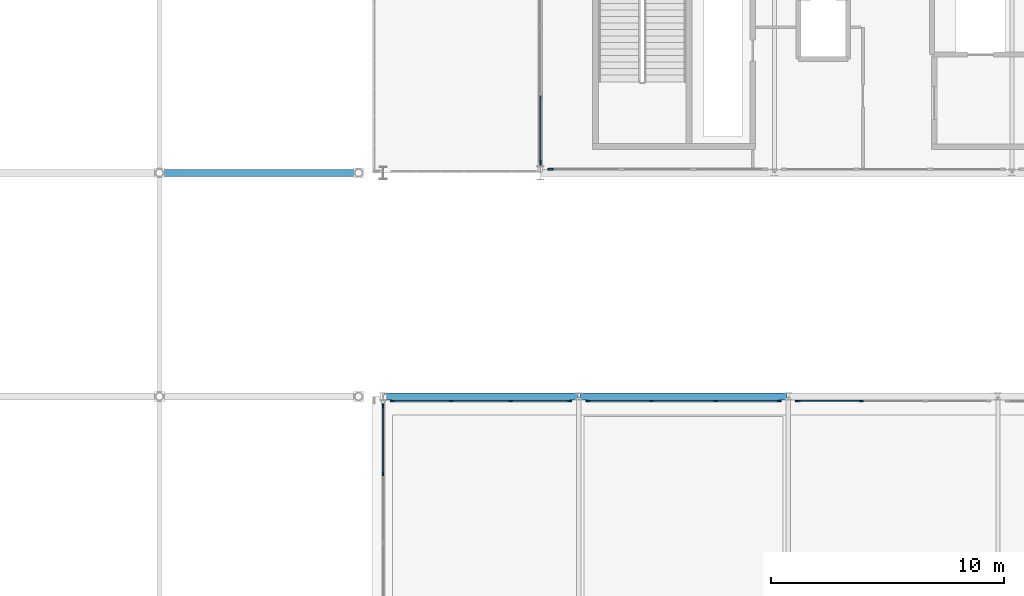
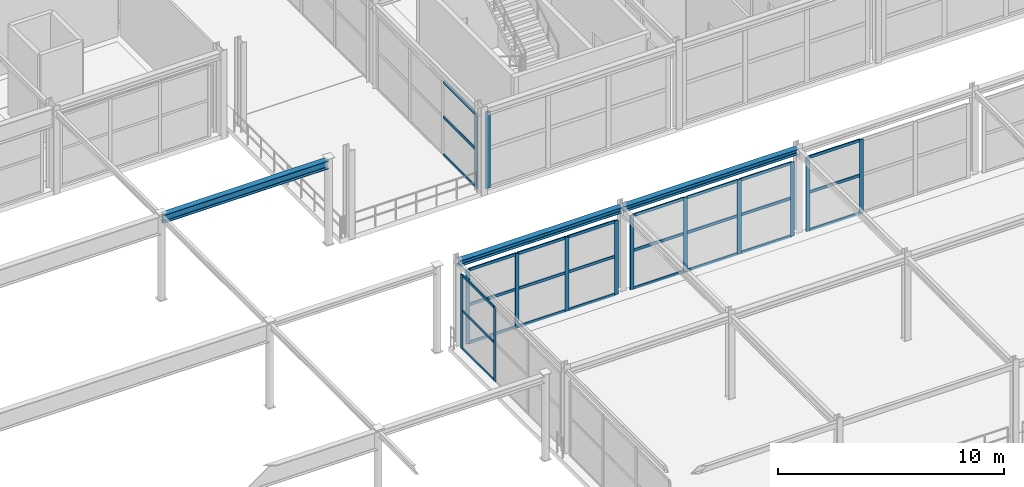
# One storey, part 32 of 125: 41 members, 3 beams, 6 elements without a shape of their own.
"""IFC4 building model written with IfcOpenShell, lengths in metres."""

from ifc_helpers import new_model, si_unit, direction, frame, origin, origin_2d, place, context, subcontext, project, spatial, rectangle, i_section, extrude, material, layer, layer_set, material_profile, profile_set, type_object, element, aggregate, save


model = new_model("IFC4")

# Units and contexts
model_context = context("Model", 3, precision=1e-05, world=origin(), true_north=direction((0.0, 1.0)))
body_context = subcontext(model_context, "Body", "Model", "MODEL_VIEW")
ifc_project = project(units=[si_unit("LENGTHUNIT", "METRE"), si_unit("AREAUNIT", "SQUARE_METRE"), si_unit("VOLUMEUNIT", "CUBIC_METRE"), si_unit("PLANEANGLEUNIT", "RADIAN"), si_unit("MASSUNIT", "GRAM", prefix="KILO")], contexts=[model_context])

# Site, building, storey
site_placement = place(None, origin())
site = spatial("IfcSite", under=ifc_project, at=site_placement, CompositionType="ELEMENT")
building_placement = place(site_placement, origin())
building = spatial("IfcBuilding", under=site, at=building_placement, Name="Myrtia Square Station", CompositionType="ELEMENT")
storey_placement = place(building_placement, frame((0.0, 0.0, 6.0)))
storey = spatial("IfcBuildingStorey", under=building, at=storey_placement, Name="L01", CompositionType="ELEMENT", Elevation=6.0)

# Beams
ifc_material_1 = material(Name="Steel S355", Category="steel")
ifc_material_profile_1 = material_profile(ifc_material_1, i_section(OverallWidth=0.300048828125, OverallDepth=0.43994140625, WebThickness=0.011474609375, FlangeThickness=0.02099609375, FilletRadius=0.027099609375, at=origin_2d()), Name="HEA 450")
ifc_profile_set_1 = profile_set([ifc_material_profile_1], Name="Steel S355")
beam_type_1 = type_object("IfcBeamType", Name="BM-HEA450", PredefinedType="BEAM", material=ifc_profile_set_1)
beam_1_placement = place(storey_placement, frame((63.050048828125, 28.800048828125, 4.3349609375), z_axis=(1.0, 0.0, 0.0), x_axis=(0.0, 1.0, 0.0)))
element("IfcBeam", 1, at=beam_1_placement, inside=storey, type_object=beam_type_1, Name="Structural girder BMX-L01-0465", PredefinedType="BEAM", context=body_context, shape_type="SweptSolid", body=[
    extrude(i_section(OverallWidth=0.300048828125, OverallDepth=0.43994140625, WebThickness=0.011474609375, FlangeThickness=0.02099609375, FilletRadius=0.027099609375, at=origin_2d()), origin(), (0.0, 0.0, 1.0), 8.449951171875),
])
ifc_material_profile_2 = material_profile(ifc_material_1, i_section(OverallWidth=0.300048828125, OverallDepth=0.300048828125, WebThickness=0.010986328125, FlangeThickness=0.01904296875, FilletRadius=0.027099609375, at=origin_2d()), Name="HEB 300")
ifc_profile_set_2 = profile_set([ifc_material_profile_2], Name="Steel S355")
beam_type_2 = type_object("IfcBeamType", Name="BM-HEB300", PredefinedType="BEAM", material=ifc_profile_set_2)
beam_2_placement = place(storey_placement, frame((72.64990234375, 19.199951171875, 4.385009765625), z_axis=(1.0, 0.0, 0.0), x_axis=(0.0, 1.0, 0.0)))
element("IfcBeam", 2, at=beam_2_placement, inside=storey, type_object=beam_type_2, Name="Structural girder BMX-L01-0586", PredefinedType="BEAM", context=body_context, shape_type="SweptSolid", body=[
    extrude(i_section(OverallWidth=0.300048828125, OverallDepth=0.300048828125, WebThickness=0.010986328125, FlangeThickness=0.01904296875, FilletRadius=0.027099609375, at=origin_2d()), origin(), (0.0, 0.0, 1.0), 8.300048828125),
])
beam_3_placement = place(storey_placement, frame((81.050048828125, 19.199951171875, 4.385009765625), z_axis=(1.0, 0.0, 0.0), x_axis=(0.0, 1.0, 0.0)))
element("IfcBeam", 3, at=beam_3_placement, inside=storey, type_object=beam_type_2, Name="Structural girder BMX-L01-0587", PredefinedType="BEAM", context=body_context, shape_type="SweptSolid", body=[
    extrude(i_section(OverallWidth=0.300048828125, OverallDepth=0.300048828125, WebThickness=0.010986328125, FlangeThickness=0.01904296875, FilletRadius=0.027099609375, at=origin_2d()), origin(), (0.0, 0.0, 1.0), 8.89990234375),
])

# Curtain wall, members
ifc_material_2 = material(Name="Dark bronze anodised aluminium", Category="aluminium")
ifc_layer_1 = layer(ifc_material_2, 0.159912109375, Name="Dark bronze anodised aluminium")
ifc_layer_set_1 = layer_set([ifc_layer_1], Name="Dark bronze anodised aluminium")
curtain_wall_type_1 = type_object("IfcCurtainWallType", Name="CW-TYPE-36-886x400", PredefinedType="USERDEFINED", material=ifc_layer_set_1)
curtain_wall_1_placement = place(storey_placement, origin())
curtain_wall_1 = element("IfcCurtainWall", 4, at=curtain_wall_1_placement, inside=storey, type_object=curtain_wall_type_1, Name="Concourse curtain wall CW-L01-115", ObjectType="CONCOURSE CURTAIN WALL", PredefinedType="USERDEFINED")
ifc_material_profile_3 = material_profile(ifc_material_2, rectangle(XDim=0.06005859375, YDim=0.159912109375, at=origin_2d()), Name="ALU-M 60x160")
ifc_profile_set_3 = profile_set([ifc_material_profile_3], Name="Dark bronze anodised aluminium")
member_type_1 = type_object("IfcMemberType", Name="CWM-60x160", PredefinedType="MULLION", material=ifc_profile_set_3)
member_1_placement = place(storey_placement, frame((72.60009765625, 15.876708984375, 0.0), z_axis=(0.0, 0.0, 1.0), x_axis=(-1.0, 0.0, 0.0)))
member_1 = element("IfcMember", 5, at=member_1_placement, type_object=member_type_1, Name="CW-115 mullion 3", PredefinedType="MULLION", context=body_context, shape_type="SweptSolid", body=[
    extrude(rectangle(XDim=0.06005859375, YDim=0.159912109375, at=origin_2d()), origin(), (0.0, 0.0, 1.0), 4.0),
])
member_2_placement = place(storey_placement, frame((72.60009765625, 18.800048828125, 0.0), z_axis=(0.0, 0.0, 1.0), x_axis=(-1.0, 0.0, 0.0)))
member_2 = element("IfcMember", 6, at=member_2_placement, type_object=member_type_1, Name="CW-115 mullion 4", PredefinedType="MULLION", context=body_context, shape_type="SweptSolid", body=[
    extrude(rectangle(XDim=0.06005859375, YDim=0.159912109375, at=origin_2d()), origin(), (0.0, 0.0, 1.0), 4.0),
])

# Curtain wall, member
ifc_layer_2 = layer(ifc_material_2, 0.159912109375, Name="Dark bronze anodised aluminium")
ifc_layer_set_2 = layer_set([ifc_layer_2], Name="Dark bronze anodised aluminium")
curtain_wall_type_2 = type_object("IfcCurtainWallType", Name="CW-TYPE-03-880x400", PredefinedType="USERDEFINED", material=ifc_layer_set_2)
curtain_wall_2_placement = place(storey_placement, origin())
curtain_wall_2 = element("IfcCurtainWall", 7, at=curtain_wall_2_placement, inside=storey, type_object=curtain_wall_type_2, Name="Concourse curtain wall CW-L01-005", ObjectType="CONCOURSE CURTAIN WALL", PredefinedType="USERDEFINED")
ifc_material_profile_4 = material_profile(ifc_material_2, rectangle(XDim=0.06494140625, YDim=0.199951171875, at=origin_2d()), Name="ALU-M 65x200")
ifc_profile_set_4 = profile_set([ifc_material_profile_4], Name="Dark bronze anodised aluminium")
member_type_2 = type_object("IfcMemberType", Name="CWM-65x200", PredefinedType="MULLION", material=ifc_profile_set_4)
member_3_placement = place(storey_placement, frame((79.35009765625, 29.232421875, 0.0), z_axis=(0.0, 0.0, 1.0), x_axis=(-1.0, 0.0, 0.0)))
member_3 = element("IfcMember", 8, at=member_3_placement, type_object=member_type_2, Name="CW-005 mullion 1", PredefinedType="MULLION", context=body_context, shape_type="SweptSolid", body=[
    extrude(rectangle(XDim=0.06494140625, YDim=0.199951171875, at=origin_2d()), origin(), (0.0, 0.0, 1.0), 4.0),
])

# Curtain wall, members
ifc_layer_3 = layer(ifc_material_2, 0.159912109375, Name="Dark bronze anodised aluminium")
ifc_layer_set_3 = layer_set([ifc_layer_3], Name="Dark bronze anodised aluminium")
curtain_wall_type_3 = type_object("IfcCurtainWallType", Name="CW-TYPE-29-766x400", PredefinedType="USERDEFINED", material=ifc_layer_set_3)
curtain_wall_3_placement = place(storey_placement, origin())
curtain_wall_3 = element("IfcCurtainWall", 9, at=curtain_wall_3_placement, inside=storey, type_object=curtain_wall_type_3, Name="Concourse curtain wall CW-L01-102", ObjectType="CONCOURSE CURTAIN WALL", PredefinedType="USERDEFINED")
member_4_placement = place(storey_placement, frame((73.00244140625, 19.0, 0.0), z_axis=(0.0, 0.0, 1.0), x_axis=(0.0, 1.0, 0.0)))
member_4 = element("IfcMember", 10, at=member_4_placement, type_object=member_type_2, Name="CW-102 mullion 1", PredefinedType="MULLION", context=body_context, shape_type="SweptSolid", body=[
    extrude(rectangle(XDim=0.06494140625, YDim=0.199951171875, at=origin_2d()), origin(), (0.0, 0.0, 1.0), 4.0),
])
member_5_placement = place(storey_placement, frame((75.5234375, 19.0, 0.0), z_axis=(0.0, 0.0, 1.0), x_axis=(0.0, 1.0, 0.0)))
member_5 = element("IfcMember", 11, at=member_5_placement, type_object=member_type_2, Name="CW-102 mullion 2", PredefinedType="MULLION", context=body_context, shape_type="SweptSolid", body=[
    extrude(rectangle(XDim=0.06494140625, YDim=0.199951171875, at=origin_2d()), origin(), (0.0, 0.0, 1.0), 4.0),
])
member_6_placement = place(storey_placement, frame((78.07666015625, 19.0, 0.0), z_axis=(0.0, 0.0, 1.0), x_axis=(0.0, 1.0, 0.0)))
member_6 = element("IfcMember", 12, at=member_6_placement, type_object=member_type_2, Name="CW-102 mullion 3", PredefinedType="MULLION", context=body_context, shape_type="SweptSolid", body=[
    extrude(rectangle(XDim=0.06494140625, YDim=0.199951171875, at=origin_2d()), origin(), (0.0, 0.0, 1.0), 4.0),
])
member_7_placement = place(storey_placement, frame((80.597412109375, 19.0, 0.0), z_axis=(0.0, 0.0, 1.0), x_axis=(0.0, 1.0, 0.0)))
member_7 = element("IfcMember", 13, at=member_7_placement, type_object=member_type_2, Name="CW-102 mullion 4", PredefinedType="MULLION", context=body_context, shape_type="SweptSolid", body=[
    extrude(rectangle(XDim=0.06494140625, YDim=0.199951171875, at=origin_2d()), origin(), (0.0, 0.0, 1.0), 4.0),
])

ifc_layer_4 = layer(ifc_material_2, 0.159912109375, Name="Dark bronze anodised aluminium")
ifc_layer_set_4 = layer_set([ifc_layer_4], Name="Dark bronze anodised aluminium")
curtain_wall_type_4 = type_object("IfcCurtainWallType", Name="CW-TYPE-32-826x400", PredefinedType="USERDEFINED", material=ifc_layer_set_4)
curtain_wall_4_placement = place(storey_placement, origin())
curtain_wall_4 = element("IfcCurtainWall", 14, at=curtain_wall_4_placement, inside=storey, type_object=curtain_wall_type_4, Name="Concourse curtain wall CW-L01-105", ObjectType="CONCOURSE CURTAIN WALL", PredefinedType="USERDEFINED")
member_8_placement = place(storey_placement, frame((81.402587890625, 19.0, 0.0), z_axis=(0.0, 0.0, 1.0), x_axis=(0.0, 1.0, 0.0)))
member_8 = element("IfcMember", 15, at=member_8_placement, type_object=member_type_2, Name="CW-105 mullion 1", PredefinedType="MULLION", context=body_context, shape_type="SweptSolid", body=[
    extrude(rectangle(XDim=0.06494140625, YDim=0.199951171875, at=origin_2d()), origin(), (0.0, 0.0, 1.0), 4.0),
])
member_9_placement = place(storey_placement, frame((84.123291015625, 19.0, 0.0), z_axis=(0.0, 0.0, 1.0), x_axis=(0.0, 1.0, 0.0)))
member_9 = element("IfcMember", 16, at=member_9_placement, type_object=member_type_2, Name="CW-105 mullion 2", PredefinedType="MULLION", context=body_context, shape_type="SweptSolid", body=[
    extrude(rectangle(XDim=0.06494140625, YDim=0.199951171875, at=origin_2d()), origin(), (0.0, 0.0, 1.0), 4.0),
])
member_10_placement = place(storey_placement, frame((86.876708984375, 19.0, 0.0), z_axis=(0.0, 0.0, 1.0), x_axis=(0.0, 1.0, 0.0)))
member_10 = element("IfcMember", 17, at=member_10_placement, type_object=member_type_2, Name="CW-105 mullion 3", PredefinedType="MULLION", context=body_context, shape_type="SweptSolid", body=[
    extrude(rectangle(XDim=0.06494140625, YDim=0.199951171875, at=origin_2d()), origin(), (0.0, 0.0, 1.0), 4.0),
])
member_11_placement = place(storey_placement, frame((89.597412109375, 19.0, 0.0), z_axis=(0.0, 0.0, 1.0), x_axis=(0.0, 1.0, 0.0)))
member_11 = element("IfcMember", 18, at=member_11_placement, type_object=member_type_2, Name="CW-105 mullion 4", PredefinedType="MULLION", context=body_context, shape_type="SweptSolid", body=[
    extrude(rectangle(XDim=0.06494140625, YDim=0.199951171875, at=origin_2d()), origin(), (0.0, 0.0, 1.0), 4.0),
])

curtain_wall_5_placement = place(storey_placement, origin())
curtain_wall_5 = element("IfcCurtainWall", 19, at=curtain_wall_5_placement, inside=storey, type_object=curtain_wall_type_4, Name="Concourse curtain wall CW-L01-107", ObjectType="CONCOURSE CURTAIN WALL", PredefinedType="USERDEFINED")
member_12_placement = place(storey_placement, frame((90.402587890625, 19.0, 0.0), z_axis=(0.0, 0.0, 1.0), x_axis=(0.0, 1.0, 0.0)))
member_12 = element("IfcMember", 20, at=member_12_placement, type_object=member_type_2, Name="CW-107 mullion 1", PredefinedType="MULLION", context=body_context, shape_type="SweptSolid", body=[
    extrude(rectangle(XDim=0.06494140625, YDim=0.199951171875, at=origin_2d()), origin(), (0.0, 0.0, 1.0), 4.0),
])
member_13_placement = place(storey_placement, frame((93.123291015625, 19.0, 0.0), z_axis=(0.0, 0.0, 1.0), x_axis=(0.0, 1.0, 0.0)))
member_13 = element("IfcMember", 21, at=member_13_placement, type_object=member_type_2, Name="CW-107 mullion 2", PredefinedType="MULLION", context=body_context, shape_type="SweptSolid", body=[
    extrude(rectangle(XDim=0.06494140625, YDim=0.199951171875, at=origin_2d()), origin(), (0.0, 0.0, 1.0), 4.0),
])

# Curtain wall, member
ifc_layer_5 = layer(ifc_material_2, 0.159912109375, Name="Dark bronze anodised aluminium")
ifc_layer_set_5 = layer_set([ifc_layer_5], Name="Dark bronze anodised aluminium")
curtain_wall_type_5 = type_object("IfcCurtainWallType", Name="CW-TYPE-09-928x415", PredefinedType="USERDEFINED", material=ifc_layer_set_5)
curtain_wall_6_placement = place(storey_placement, origin())
curtain_wall_6 = element("IfcCurtainWall", 22, at=curtain_wall_6_placement, inside=storey, type_object=curtain_wall_type_5, Name="Concourse curtain wall CW-L01-041", ObjectType="CONCOURSE CURTAIN WALL", PredefinedType="USERDEFINED")
ifc_material_profile_5 = material_profile(ifc_material_2, rectangle(XDim=0.074951171875, YDim=0.239990234375, at=origin_2d()), Name="ALU-M 75x240")
ifc_profile_set_5 = profile_set([ifc_material_profile_5], Name="Dark bronze anodised aluminium")
member_type_3 = type_object("IfcMemberType", Name="CWM-75x240", PredefinedType="MULLION", material=ifc_profile_set_5)
member_14_placement = place(storey_placement, frame((79.78759765625, 28.949951171875, 0.0), z_axis=(0.0, 0.0, 1.0), x_axis=(0.0, 1.0, 0.0)))
member_14 = element("IfcMember", 23, at=member_14_placement, type_object=member_type_3, Name="CW-041 mullion 1", PredefinedType="MULLION", context=body_context, shape_type="SweptSolid", body=[
    extrude(rectangle(XDim=0.074951171875, YDim=0.239990234375, at=origin_2d()), origin(), (0.0, 0.0, 1.0), 4.14990234375),
])
aggregate(curtain_wall_6, [member_14])

# Member
ifc_material_profile_6 = material_profile(ifc_material_2, rectangle(XDim=0.06005859375, YDim=0.1201171875, at=origin_2d()), Name="ALU-T 60x120")
ifc_profile_set_6 = profile_set([ifc_material_profile_6], Name="Dark bronze anodised aluminium")
member_type_4 = type_object("IfcMemberType", Name="CWT-60x120", PredefinedType="USERDEFINED", material=ifc_profile_set_6)
member_15_placement = place(storey_placement, frame((72.60009765625, 15.90673828125, 0.030029296875), z_axis=(0.0, 1.0, 0.0), x_axis=(-1.0, 0.0, 0.0)))
member_15 = element("IfcMember", 24, at=member_15_placement, type_object=member_type_4, Name="CW-115 transom 3.1", ObjectType="TRANSOM", PredefinedType="USERDEFINED", context=body_context, shape_type="SweptSolid", body=[
    extrude(rectangle(XDim=0.06005859375, YDim=0.1201171875, at=origin_2d()), origin(), (0.0, 0.0, 1.0), 2.86328125),
])

member_16_placement = place(storey_placement, frame((72.60009765625, 15.90673828125, 2.080078125), z_axis=(0.0, 1.0, 0.0), x_axis=(-1.0, 0.0, 0.0)))
member_16 = element("IfcMember", 25, at=member_16_placement, type_object=member_type_4, Name="CW-115 transom 3.2", ObjectType="TRANSOM", PredefinedType="USERDEFINED", context=body_context, shape_type="SweptSolid", body=[
    extrude(rectangle(XDim=0.06005859375, YDim=0.1201171875, at=origin_2d()), origin(), (0.0, 0.0, 1.0), 2.86328125),
])

member_17_placement = place(storey_placement, frame((72.60009765625, 15.90673828125, 3.969970703125), z_axis=(0.0, 1.0, 0.0), x_axis=(-1.0, 0.0, 0.0)))
member_17 = element("IfcMember", 26, at=member_17_placement, type_object=member_type_4, Name="CW-115 transom 3.3", ObjectType="TRANSOM", PredefinedType="USERDEFINED", context=body_context, shape_type="SweptSolid", body=[
    extrude(rectangle(XDim=0.06005859375, YDim=0.1201171875, at=origin_2d()), origin(), (0.0, 0.0, 1.0), 2.86328125),
])

aggregate(curtain_wall_1, [member_1, member_2, member_15, member_16, member_17])

ifc_material_profile_7 = material_profile(ifc_material_2, rectangle(XDim=0.06494140625, YDim=0.14990234375, at=origin_2d()), Name="ALU-T 65x150")
ifc_profile_set_7 = profile_set([ifc_material_profile_7], Name="Dark bronze anodised aluminium")
member_type_5 = type_object("IfcMemberType", Name="CWT-65x150", PredefinedType="USERDEFINED", material=ifc_profile_set_7)
member_18_placement = place(storey_placement, frame((79.35009765625, 29.264892578125, 0.032470703125), z_axis=(0.0, 1.0, 0.0), x_axis=(-1.0, 0.0, 0.0)))
member_18 = element("IfcMember", 27, at=member_18_placement, type_object=member_type_5, Name="CW-005 transom 1.1", ObjectType="TRANSOM", PredefinedType="USERDEFINED", context=body_context, shape_type="SweptSolid", body=[
    extrude(rectangle(XDim=0.06494140625, YDim=0.14990234375, at=origin_2d()), origin(), (0.0, 0.0, 1.0), 2.8359375),
])

member_19_placement = place(storey_placement, frame((79.35009765625, 29.264892578125, 2.080078125), z_axis=(0.0, 1.0, 0.0), x_axis=(-1.0, 0.0, 0.0)))
member_19 = element("IfcMember", 28, at=member_19_placement, type_object=member_type_5, Name="CW-005 transom 1.2", ObjectType="TRANSOM", PredefinedType="USERDEFINED", context=body_context, shape_type="SweptSolid", body=[
    extrude(rectangle(XDim=0.06494140625, YDim=0.14990234375, at=origin_2d()), origin(), (0.0, 0.0, 1.0), 2.8359375),
])

member_20_placement = place(storey_placement, frame((79.35009765625, 29.264892578125, 3.967529296875), z_axis=(0.0, 1.0, 0.0), x_axis=(-1.0, 0.0, 0.0)))
member_20 = element("IfcMember", 29, at=member_20_placement, type_object=member_type_5, Name="CW-005 transom 1.3", ObjectType="TRANSOM", PredefinedType="USERDEFINED", context=body_context, shape_type="SweptSolid", body=[
    extrude(rectangle(XDim=0.06494140625, YDim=0.14990234375, at=origin_2d()), origin(), (0.0, 0.0, 1.0), 2.8359375),
])

aggregate(curtain_wall_2, [member_3, member_18, member_19, member_20])

member_21_placement = place(storey_placement, frame((73.034912109375, 19.0, 0.032470703125), z_axis=(1.0, 0.0, 0.0), x_axis=(0.0, 1.0, 0.0)))
member_21 = element("IfcMember", 30, at=member_21_placement, type_object=member_type_5, Name="CW-102 transom 1.1", ObjectType="TRANSOM", PredefinedType="USERDEFINED", context=body_context, shape_type="SweptSolid", body=[
    extrude(rectangle(XDim=0.06494140625, YDim=0.14990234375, at=origin_2d()), origin(), (0.0, 0.0, 1.0), 2.455810546875),
])

member_22_placement = place(storey_placement, frame((73.034912109375, 19.0, 2.080078125), z_axis=(1.0, 0.0, 0.0), x_axis=(0.0, 1.0, 0.0)))
member_22 = element("IfcMember", 31, at=member_22_placement, type_object=member_type_5, Name="CW-102 transom 1.2", ObjectType="TRANSOM", PredefinedType="USERDEFINED", context=body_context, shape_type="SweptSolid", body=[
    extrude(rectangle(XDim=0.06494140625, YDim=0.14990234375, at=origin_2d()), origin(), (0.0, 0.0, 1.0), 2.455810546875),
])

member_23_placement = place(storey_placement, frame((73.034912109375, 19.0, 3.967529296875), z_axis=(1.0, 0.0, 0.0), x_axis=(0.0, 1.0, 0.0)))
member_23 = element("IfcMember", 32, at=member_23_placement, type_object=member_type_5, Name="CW-102 transom 1.3", ObjectType="TRANSOM", PredefinedType="USERDEFINED", context=body_context, shape_type="SweptSolid", body=[
    extrude(rectangle(XDim=0.06494140625, YDim=0.14990234375, at=origin_2d()), origin(), (0.0, 0.0, 1.0), 2.455810546875),
])

member_24_placement = place(storey_placement, frame((75.555908203125, 19.0, 0.032470703125), z_axis=(1.0, 0.0, 0.0), x_axis=(0.0, 1.0, 0.0)))
member_24 = element("IfcMember", 33, at=member_24_placement, type_object=member_type_5, Name="CW-102 transom 2.1", ObjectType="TRANSOM", PredefinedType="USERDEFINED", context=body_context, shape_type="SweptSolid", body=[
    extrude(rectangle(XDim=0.06494140625, YDim=0.14990234375, at=origin_2d()), origin(), (0.0, 0.0, 1.0), 2.48828125),
])

member_25_placement = place(storey_placement, frame((75.555908203125, 19.0, 2.080078125), z_axis=(1.0, 0.0, 0.0), x_axis=(0.0, 1.0, 0.0)))
member_25 = element("IfcMember", 34, at=member_25_placement, type_object=member_type_5, Name="CW-102 transom 2.2", ObjectType="TRANSOM", PredefinedType="USERDEFINED", context=body_context, shape_type="SweptSolid", body=[
    extrude(rectangle(XDim=0.06494140625, YDim=0.14990234375, at=origin_2d()), origin(), (0.0, 0.0, 1.0), 2.48828125),
])

member_26_placement = place(storey_placement, frame((75.555908203125, 19.0, 3.967529296875), z_axis=(1.0, 0.0, 0.0), x_axis=(0.0, 1.0, 0.0)))
member_26 = element("IfcMember", 35, at=member_26_placement, type_object=member_type_5, Name="CW-102 transom 2.3", ObjectType="TRANSOM", PredefinedType="USERDEFINED", context=body_context, shape_type="SweptSolid", body=[
    extrude(rectangle(XDim=0.06494140625, YDim=0.14990234375, at=origin_2d()), origin(), (0.0, 0.0, 1.0), 2.48828125),
])

member_27_placement = place(storey_placement, frame((78.109130859375, 19.0, 0.032470703125), z_axis=(1.0, 0.0, 0.0), x_axis=(0.0, 1.0, 0.0)))
member_27 = element("IfcMember", 36, at=member_27_placement, type_object=member_type_5, Name="CW-102 transom 3.1", ObjectType="TRANSOM", PredefinedType="USERDEFINED", context=body_context, shape_type="SweptSolid", body=[
    extrude(rectangle(XDim=0.06494140625, YDim=0.14990234375, at=origin_2d()), origin(), (0.0, 0.0, 1.0), 2.455810546875),
])

member_28_placement = place(storey_placement, frame((78.109130859375, 19.0, 2.080078125), z_axis=(1.0, 0.0, 0.0), x_axis=(0.0, 1.0, 0.0)))
member_28 = element("IfcMember", 37, at=member_28_placement, type_object=member_type_5, Name="CW-102 transom 3.2", ObjectType="TRANSOM", PredefinedType="USERDEFINED", context=body_context, shape_type="SweptSolid", body=[
    extrude(rectangle(XDim=0.06494140625, YDim=0.14990234375, at=origin_2d()), origin(), (0.0, 0.0, 1.0), 2.455810546875),
])

member_29_placement = place(storey_placement, frame((78.109130859375, 19.0, 3.967529296875), z_axis=(1.0, 0.0, 0.0), x_axis=(0.0, 1.0, 0.0)))
member_29 = element("IfcMember", 38, at=member_29_placement, type_object=member_type_5, Name="CW-102 transom 3.3", ObjectType="TRANSOM", PredefinedType="USERDEFINED", context=body_context, shape_type="SweptSolid", body=[
    extrude(rectangle(XDim=0.06494140625, YDim=0.14990234375, at=origin_2d()), origin(), (0.0, 0.0, 1.0), 2.455810546875),
])

aggregate(curtain_wall_3, [member_4, member_5, member_6, member_7, member_21, member_22, member_23, member_24, member_25, member_26, member_27, member_28, member_29])

member_30_placement = place(storey_placement, frame((81.43505859375, 19.0, 0.032470703125), z_axis=(1.0, 0.0, 0.0), x_axis=(0.0, 1.0, 0.0)))
member_30 = element("IfcMember", 39, at=member_30_placement, type_object=member_type_5, Name="CW-105 transom 1.1", ObjectType="TRANSOM", PredefinedType="USERDEFINED", context=body_context, shape_type="SweptSolid", body=[
    extrude(rectangle(XDim=0.06494140625, YDim=0.14990234375, at=origin_2d()), origin(), (0.0, 0.0, 1.0), 2.65576171875),
])

member_31_placement = place(storey_placement, frame((81.43505859375, 19.0, 2.080078125), z_axis=(1.0, 0.0, 0.0), x_axis=(0.0, 1.0, 0.0)))
member_31 = element("IfcMember", 40, at=member_31_placement, type_object=member_type_5, Name="CW-105 transom 1.2", ObjectType="TRANSOM", PredefinedType="USERDEFINED", context=body_context, shape_type="SweptSolid", body=[
    extrude(rectangle(XDim=0.06494140625, YDim=0.14990234375, at=origin_2d()), origin(), (0.0, 0.0, 1.0), 2.65576171875),
])

member_32_placement = place(storey_placement, frame((81.43505859375, 19.0, 3.967529296875), z_axis=(1.0, 0.0, 0.0), x_axis=(0.0, 1.0, 0.0)))
member_32 = element("IfcMember", 41, at=member_32_placement, type_object=member_type_5, Name="CW-105 transom 1.3", ObjectType="TRANSOM", PredefinedType="USERDEFINED", context=body_context, shape_type="SweptSolid", body=[
    extrude(rectangle(XDim=0.06494140625, YDim=0.14990234375, at=origin_2d()), origin(), (0.0, 0.0, 1.0), 2.65576171875),
])

member_33_placement = place(storey_placement, frame((84.15576171875, 19.0, 0.032470703125), z_axis=(1.0, 0.0, 0.0), x_axis=(0.0, 1.0, 0.0)))
member_33 = element("IfcMember", 42, at=member_33_placement, type_object=member_type_5, Name="CW-105 transom 2.1", ObjectType="TRANSOM", PredefinedType="USERDEFINED", context=body_context, shape_type="SweptSolid", body=[
    extrude(rectangle(XDim=0.06494140625, YDim=0.14990234375, at=origin_2d()), origin(), (0.0, 0.0, 1.0), 2.6884765625),
])

member_34_placement = place(storey_placement, frame((84.15576171875, 19.0, 2.080078125), z_axis=(1.0, 0.0, 0.0), x_axis=(0.0, 1.0, 0.0)))
member_34 = element("IfcMember", 43, at=member_34_placement, type_object=member_type_5, Name="CW-105 transom 2.2", ObjectType="TRANSOM", PredefinedType="USERDEFINED", context=body_context, shape_type="SweptSolid", body=[
    extrude(rectangle(XDim=0.06494140625, YDim=0.14990234375, at=origin_2d()), origin(), (0.0, 0.0, 1.0), 2.6884765625),
])

member_35_placement = place(storey_placement, frame((84.15576171875, 19.0, 3.967529296875), z_axis=(1.0, 0.0, 0.0), x_axis=(0.0, 1.0, 0.0)))
member_35 = element("IfcMember", 44, at=member_35_placement, type_object=member_type_5, Name="CW-105 transom 2.3", ObjectType="TRANSOM", PredefinedType="USERDEFINED", context=body_context, shape_type="SweptSolid", body=[
    extrude(rectangle(XDim=0.06494140625, YDim=0.14990234375, at=origin_2d()), origin(), (0.0, 0.0, 1.0), 2.6884765625),
])

member_36_placement = place(storey_placement, frame((86.9091796875, 19.0, 0.032470703125), z_axis=(1.0, 0.0, 0.0), x_axis=(0.0, 1.0, 0.0)))
member_36 = element("IfcMember", 45, at=member_36_placement, type_object=member_type_5, Name="CW-105 transom 3.1", ObjectType="TRANSOM", PredefinedType="USERDEFINED", context=body_context, shape_type="SweptSolid", body=[
    extrude(rectangle(XDim=0.06494140625, YDim=0.14990234375, at=origin_2d()), origin(), (0.0, 0.0, 1.0), 2.65576171875),
])

member_37_placement = place(storey_placement, frame((86.9091796875, 19.0, 2.080078125), z_axis=(1.0, 0.0, 0.0), x_axis=(0.0, 1.0, 0.0)))
member_37 = element("IfcMember", 46, at=member_37_placement, type_object=member_type_5, Name="CW-105 transom 3.2", ObjectType="TRANSOM", PredefinedType="USERDEFINED", context=body_context, shape_type="SweptSolid", body=[
    extrude(rectangle(XDim=0.06494140625, YDim=0.14990234375, at=origin_2d()), origin(), (0.0, 0.0, 1.0), 2.65576171875),
])

member_38_placement = place(storey_placement, frame((86.9091796875, 19.0, 3.967529296875), z_axis=(1.0, 0.0, 0.0), x_axis=(0.0, 1.0, 0.0)))
member_38 = element("IfcMember", 47, at=member_38_placement, type_object=member_type_5, Name="CW-105 transom 3.3", ObjectType="TRANSOM", PredefinedType="USERDEFINED", context=body_context, shape_type="SweptSolid", body=[
    extrude(rectangle(XDim=0.06494140625, YDim=0.14990234375, at=origin_2d()), origin(), (0.0, 0.0, 1.0), 2.65576171875),
])

aggregate(curtain_wall_4, [member_8, member_9, member_10, member_11, member_30, member_31, member_32, member_33, member_34, member_35, member_36, member_37, member_38])

member_39_placement = place(storey_placement, frame((90.43505859375, 19.0, 0.032470703125), z_axis=(1.0, 0.0, 0.0), x_axis=(0.0, 1.0, 0.0)))
member_39 = element("IfcMember", 48, at=member_39_placement, type_object=member_type_5, Name="CW-107 transom 1.1", ObjectType="TRANSOM", PredefinedType="USERDEFINED", context=body_context, shape_type="SweptSolid", body=[
    extrude(rectangle(XDim=0.06494140625, YDim=0.14990234375, at=origin_2d()), origin(), (0.0, 0.0, 1.0), 2.65576171875),
])

member_40_placement = place(storey_placement, frame((90.43505859375, 19.0, 2.080078125), z_axis=(1.0, 0.0, 0.0), x_axis=(0.0, 1.0, 0.0)))
member_40 = element("IfcMember", 49, at=member_40_placement, type_object=member_type_5, Name="CW-107 transom 1.2", ObjectType="TRANSOM", PredefinedType="USERDEFINED", context=body_context, shape_type="SweptSolid", body=[
    extrude(rectangle(XDim=0.06494140625, YDim=0.14990234375, at=origin_2d()), origin(), (0.0, 0.0, 1.0), 2.65576171875),
])

member_41_placement = place(storey_placement, frame((90.43505859375, 19.0, 3.967529296875), z_axis=(1.0, 0.0, 0.0), x_axis=(0.0, 1.0, 0.0)))
member_41 = element("IfcMember", 50, at=member_41_placement, type_object=member_type_5, Name="CW-107 transom 1.3", ObjectType="TRANSOM", PredefinedType="USERDEFINED", context=body_context, shape_type="SweptSolid", body=[
    extrude(rectangle(XDim=0.06494140625, YDim=0.14990234375, at=origin_2d()), origin(), (0.0, 0.0, 1.0), 2.65576171875),
])

aggregate(curtain_wall_5, [member_12, member_13, member_39, member_40, member_41])

save(model, "model.ifc")
